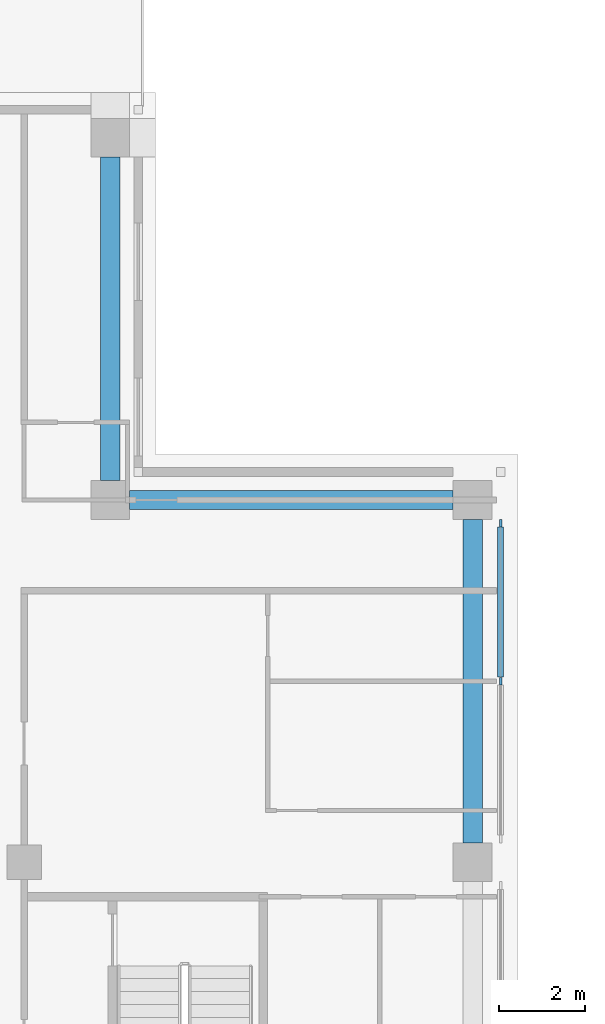
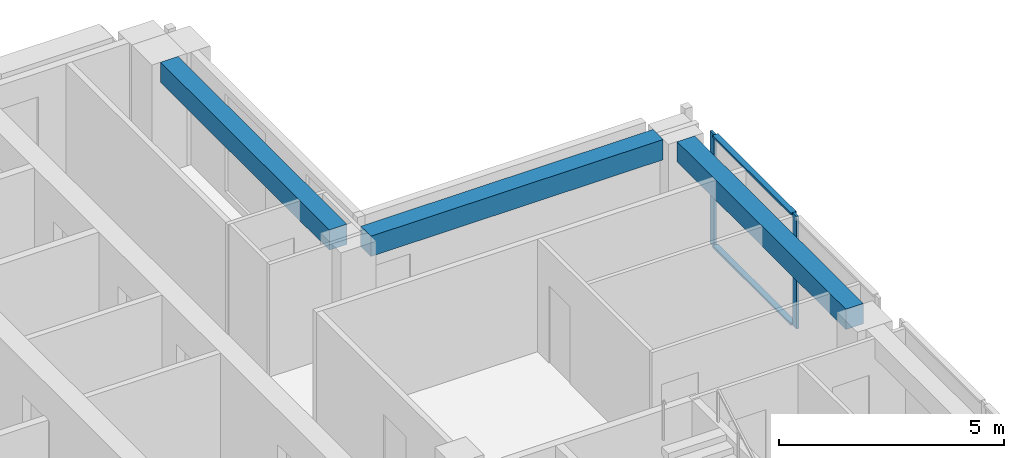
# One storey, part 7 of 18: 4 members, 3 beams, 1 element without a shape of its own.
"""IFC4 building model written with IfcOpenShell, lengths in metres."""

from ifc_helpers import new_model, si_unit, direction, frame, origin, origin_2d, place, context, subcontext, project, spatial, rectangle, extrude, material, material_profile, profile_set, type_object, element, aggregate, save


model = new_model("IFC4")

# Units and contexts
model_context = context("Model", 3, precision=1e-05, world=origin(), true_north=direction((0.0, 1.0)))
body_context = subcontext(model_context, "Body", "Model", "MODEL_VIEW")
ifc_project = project(units=[si_unit("LENGTHUNIT", "METRE"), si_unit("AREAUNIT", "SQUARE_METRE"), si_unit("VOLUMEUNIT", "CUBIC_METRE"), si_unit("PLANEANGLEUNIT", "RADIAN"), si_unit("MASSUNIT", "GRAM", prefix="KILO")], contexts=[model_context])

# Site, building, storey
site_placement = place(None, origin())
site = spatial("IfcSite", under=ifc_project, at=site_placement, CompositionType="ELEMENT")
building_placement = place(site_placement, origin())
building = spatial("IfcBuilding", under=site, at=building_placement, Name="Vermilion Ogive Tower", CompositionType="ELEMENT")
storey_placement = place(building_placement, frame((0.0, 0.0, 230.35009765625)))
storey = spatial("IfcBuildingStorey", under=building, at=storey_placement, Name="L60", CompositionType="ELEMENT", Elevation=230.35009765625)

# Curtain wall, members
ifc_material_1 = material(Name="Low-iron laminated glazing in aluminium frame", Category="aluminium")
curtain_wall_type = type_object("IfcCurtainWallType", Name="Curtain wall CW7", PredefinedType="NOTDEFINED", material=ifc_material_1)
curtain_wall_placement = place(storey_placement, origin())
curtain_wall = element("IfcCurtainWall", 1, at=curtain_wall_placement, inside=storey, type_object=curtain_wall_type, Name="Glazed skin E3", PredefinedType="NOTDEFINED")
ifc_material_2 = material(Name="Aluminium mullion", Category="aluminium")
ifc_material_profile_1 = material_profile(ifc_material_2, rectangle(XDim=0.06005859375, YDim=0.179931640625, at=origin_2d()), Name="AL 60x180")
ifc_profile_set_1 = profile_set([ifc_material_profile_1], Name="Aluminium mullion")
member_type_1 = type_object("IfcMemberType", Name="CW7 mullion 60x180", PredefinedType="MULLION", material=ifc_profile_set_1)
member_1_placement = place(storey_placement, frame((25.85009765625, 8.39990234375, 0.0), z_axis=(0.0, 0.0, 1.0), x_axis=(-1.0, 0.0, 0.0)))
member_1 = element("IfcMember", 2, at=member_1_placement, type_object=member_type_1, Name="CW7-E3 mullion 2", PredefinedType="MULLION", context=body_context, shape_type="SweptSolid", body=[
    extrude(rectangle(XDim=0.06005859375, YDim=0.179931640625, at=origin_2d()), origin(), (0.0, 0.0, 1.0), 3.0498046875),
])
member_2_placement = place(storey_placement, frame((25.85009765625, 12.06005859375, 0.0), z_axis=(0.0, 0.0, 1.0), x_axis=(-1.0, 0.0, 0.0)))
member_2 = element("IfcMember", 3, at=member_2_placement, type_object=member_type_1, Name="CW7-E3 mullion 3", PredefinedType="MULLION", context=body_context, shape_type="SweptSolid", body=[
    extrude(rectangle(XDim=0.06005859375, YDim=0.179931640625, at=origin_2d()), origin(), (0.0, 0.0, 1.0), 3.0498046875),
])
ifc_material_3 = material(Name="Aluminium transom", Category="aluminium")
ifc_material_profile_2 = material_profile(ifc_material_3, rectangle(XDim=0.139892578125, YDim=0.06005859375, at=origin_2d()), Name="AL 60x140")
ifc_profile_set_2 = profile_set([ifc_material_profile_2], Name="Aluminium transom")
member_type_2 = type_object("IfcMemberType", Name="CW7 transom 60x140", PredefinedType="USERDEFINED", material=ifc_profile_set_2)
member_3_placement = place(storey_placement, frame((25.85009765625, 8.489990234375, 0.02978515625), z_axis=(0.0, 1.0, 0.0), x_axis=(-1.0, 0.0, 0.0)))
member_3 = element("IfcMember", 4, at=member_3_placement, type_object=member_type_2, Name="CW7-E3 transom 2.1", ObjectType="TRANSOM", PredefinedType="USERDEFINED", context=body_context, shape_type="SweptSolid", body=[
    extrude(rectangle(XDim=0.139892578125, YDim=0.06005859375, at=origin_2d()), origin(), (0.0, 0.0, 1.0), 3.47998046875),
])
member_4_placement = place(storey_placement, frame((25.85009765625, 8.489990234375, 3.02001953125), z_axis=(0.0, 1.0, 0.0), x_axis=(-1.0, 0.0, 0.0)))
member_4 = element("IfcMember", 5, at=member_4_placement, type_object=member_type_2, Name="CW7-E3 transom 2.2", ObjectType="TRANSOM", PredefinedType="USERDEFINED", context=body_context, shape_type="SweptSolid", body=[
    extrude(rectangle(XDim=0.139892578125, YDim=0.06005859375, at=origin_2d()), origin(), (0.0, 0.0, 1.0), 3.47998046875),
])
aggregate(curtain_wall, [member_1, member_2, member_3, member_4])

# Beams
ifc_material_4 = material(Name="Concrete B45", Category="concrete")
ifc_material_profile_3 = material_profile(ifc_material_4, rectangle(XDim=0.449951171875, YDim=0.550048828125, at=origin_2d()), Name="450 x 550")
ifc_profile_set_3 = profile_set([ifc_material_profile_3], Name="Concrete B45")
beam_type = type_object("IfcBeamType", Name="Edge beam 450 x 550 B45", PredefinedType="BEAM", material=ifc_profile_set_3)
for number, where, z_axis, x_axis, name in (
    (6, (25.199951171875, 4.64990234375, 2.77490234375), (0.0, 1.0, 0.0), (-1.0, 0.0, 0.0), "L60-EB-9"),
    (7, (24.75, 12.60009765625, 2.77490234375), (-1.0, 0.0, 0.0), (0.0, -1.0, 0.0), "L60-EB-10"),
    (8, (16.800048828125, 13.050048828125, 2.77490234375), (0.0, 1.0, 0.0), (-1.0, 0.0, 0.0), "L60-EB-11"),
):
    element("IfcBeam", number, at=place(storey_placement, frame(where, z_axis=z_axis, x_axis=x_axis)), inside=storey, type_object=beam_type, Name=name, PredefinedType="BEAM", context=body_context, shape_type="SweptSolid", body=[
        extrude(rectangle(XDim=0.449951171875, YDim=0.550048828125, at=origin_2d()), origin(), (0.0, 0.0, 1.0), 7.5),
    ])

save(model, "model.ifc")
